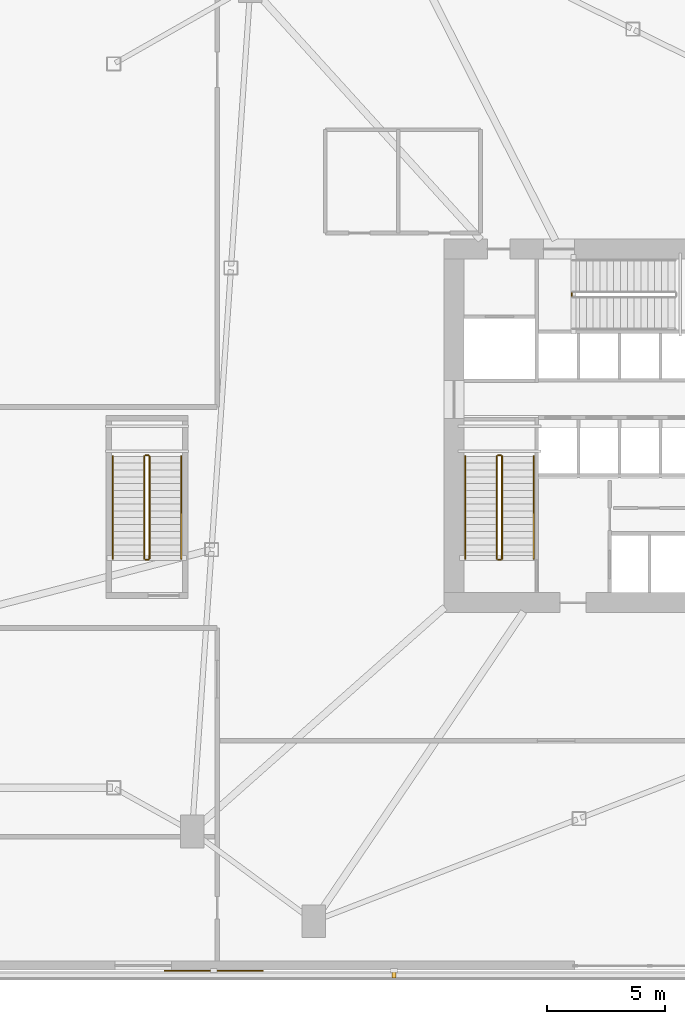
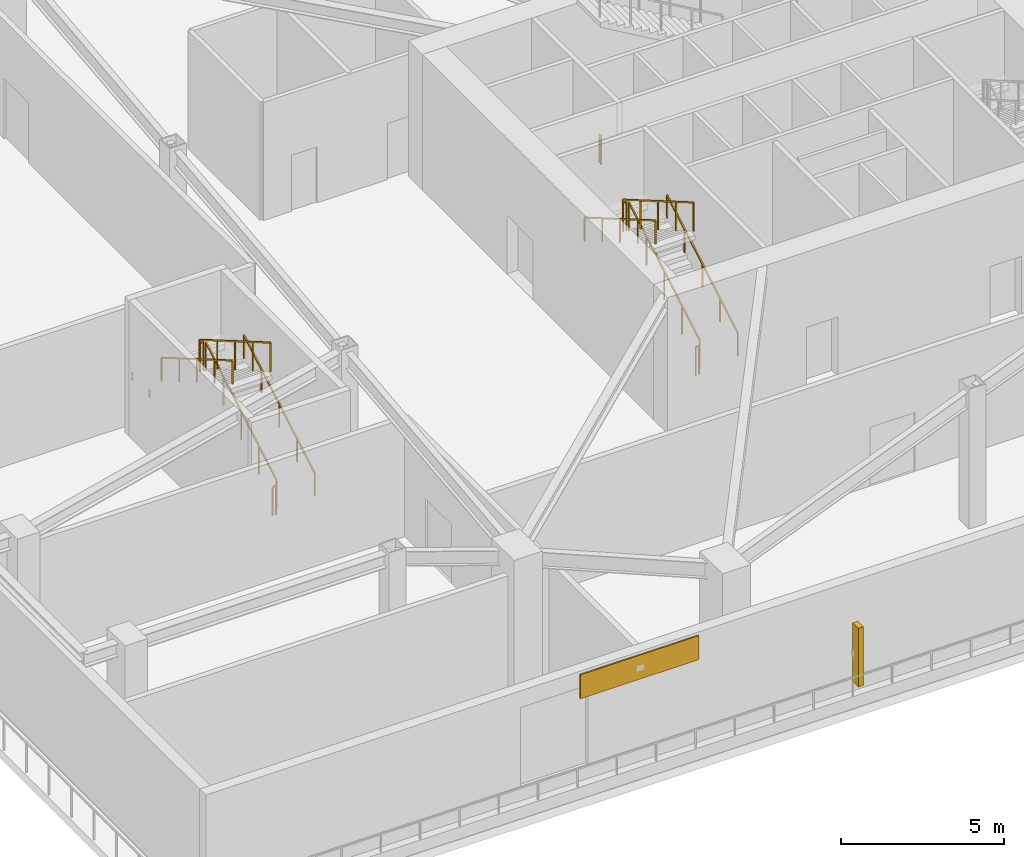
# One storey, part 12 of 15: 13 railings, 1 covering, 1 shading device.
"""IFC4 building model written with IfcOpenShell, lengths in metres."""

from ifc_helpers import new_model, si_unit, direction, frame, origin, origin_2d, place, context, subcontext, project, spatial, rectangle, extrude, source, transform, mapped, material, layer, layer_set, type_object, element, save


model = new_model("IFC4")

# Units and contexts
model_context = context("Model", 3, precision=1e-05, world=origin(), true_north=direction((0.0, 1.0)))
body_context = subcontext(model_context, "Body", "Model", "MODEL_VIEW")
ifc_project = project(units=[si_unit("LENGTHUNIT", "METRE"), si_unit("AREAUNIT", "SQUARE_METRE"), si_unit("VOLUMEUNIT", "CUBIC_METRE"), si_unit("PLANEANGLEUNIT", "RADIAN"), si_unit("MASSUNIT", "GRAM", prefix="KILO")], contexts=[model_context])

# Site, building, storey
site_placement = place(None, origin())
site = spatial("IfcSite", under=ifc_project, at=site_placement, CompositionType="ELEMENT")
building_placement = place(site_placement, origin())
building = spatial("IfcBuilding", under=site, at=building_placement, Name="Olszyna Solenne Hotel", CompositionType="ELEMENT")
storey_placement = place(building_placement, frame((0.0, 0.0, 10.199951171875)))
storey = spatial("IfcBuildingStorey", under=building, at=storey_placement, Name="L02", CompositionType="ELEMENT", Elevation=10.199951171875)

# Railings
ifc_material_1 = material(Name="Anodised bronze aluminium", Category="aluminium")
railing_type_1 = type_object("IfcRailingType", Name="GR-110", PredefinedType="BALUSTRADE", material=ifc_material_1)
railing_1_placement = place(storey_placement, frame((31.719970703125, 20.949951171875, 0.168701171875)))
element("IfcRailing", 1, at=railing_1_placement, inside=storey, type_object=railing_type_1, Name="L02 ST1 stair guard 1", PredefinedType="BALUSTRADE", context=body_context, shape_type="SweptSolid", body=[
    extrude(rectangle(XDim=0.048095703125, YDim=0.048095703125, at=origin_2d()), frame((0.0, 0.0, 1.076171875), z_axis=(0.0, 0.864323800911, 0.50293574856), x_axis=(-1.0, 0.0, 0.0)), (0.0, 0.0, 1.0), 5.032958984375),
    extrude(rectangle(XDim=0.0419921875, YDim=0.0419921875, at=origin_2d()), origin(), (0.0, 0.0, 1.0), 1.052001953125),
    extrude(rectangle(XDim=0.0419921875, YDim=0.0419921875, at=origin_2d()), frame((0.0, 1.08740234375, 0.6328125)), (0.0, 0.0, 1.0), 1.052001953125),
    extrude(rectangle(XDim=0.0419921875, YDim=0.0419921875, at=origin_2d()), frame((0.0, 2.175048828125, 1.265625)), (0.0, 0.0, 1.0), 1.052001953125),
    extrude(rectangle(XDim=0.0419921875, YDim=0.0419921875, at=origin_2d()), frame((0.0, 3.2626953125, 1.8984375)), (0.0, 0.0, 1.0), 1.052001953125),
    extrude(rectangle(XDim=0.0419921875, YDim=0.0419921875, at=origin_2d()), frame((0.0, 4.35009765625, 2.53125)), (0.0, 0.0, 1.0), 1.052001953125),
])
railing_2_placement = place(storey_placement, frame((31.669921875, 25.35009765625, 2.699951171875)))
element("IfcRailing", 2, at=railing_2_placement, inside=storey, type_object=railing_type_1, Name="L02 ST1 stair guard 2", PredefinedType="BALUSTRADE", context=body_context, shape_type="SweptSolid", body=[
    extrude(rectangle(XDim=0.048095703125, YDim=0.048095703125, at=origin_2d()), frame((0.0, 0.0, 1.076171875), z_axis=(-1.0, 0.0, 0.0), x_axis=(0.0, -1.0, 0.0)), (0.0, 0.0, 1.0), 0.119873046875),
    extrude(rectangle(XDim=0.0419921875, YDim=0.0419921875, at=origin_2d()), origin(), (0.0, 0.0, 1.0), 1.052001953125),
    extrude(rectangle(XDim=0.0419921875, YDim=0.0419921875, at=origin_2d()), frame((-0.119873046875, 0.0, 0.0)), (0.0, 0.0, 1.0), 1.052001953125),
])
railing_3_placement = place(storey_placement, frame((31.5, 25.300048828125, 2.868896484375)))
element("IfcRailing", 3, at=railing_3_placement, inside=storey, type_object=railing_type_1, Name="L02 ST1 stair guard 3", PredefinedType="BALUSTRADE", context=body_context, shape_type="SweptSolid", body=[
    extrude(rectangle(XDim=0.048095703125, YDim=0.048095703125, at=origin_2d()), frame((0.0, 0.0, 1.076171875), z_axis=(0.0, -0.864323800911, 0.50293574856), x_axis=(1.0, 0.0, 0.0)), (0.0, 0.0, 1.0), 5.032958984375),
    extrude(rectangle(XDim=0.0419921875, YDim=0.0419921875, at=origin_2d()), origin(), (0.0, 0.0, 1.0), 1.052001953125),
    extrude(rectangle(XDim=0.0419921875, YDim=0.0419921875, at=origin_2d()), frame((0.0, -1.08740234375, 0.6328125)), (0.0, 0.0, 1.0), 1.052001953125),
    extrude(rectangle(XDim=0.0419921875, YDim=0.0419921875, at=origin_2d()), frame((0.0, -2.175048828125, 1.265625)), (0.0, 0.0, 1.0), 1.052001953125),
    extrude(rectangle(XDim=0.0419921875, YDim=0.0419921875, at=origin_2d()), frame((0.0, -3.2626953125, 1.8984375)), (0.0, 0.0, 1.0), 1.052001953125),
    extrude(rectangle(XDim=0.0419921875, YDim=0.0419921875, at=origin_2d()), frame((0.0, -4.35009765625, 2.53125)), (0.0, 0.0, 1.0), 1.052001953125),
])
railing_4_placement = place(storey_placement, frame((31.669921875, 20.89990234375, 0.0)))
element("IfcRailing", 4, at=railing_4_placement, inside=storey, type_object=railing_type_1, Name="L02 ST1 stair guard 4", PredefinedType="BALUSTRADE", context=body_context, shape_type="SweptSolid", body=[
    extrude(rectangle(XDim=0.048095703125, YDim=0.048095703125, at=origin_2d()), frame((0.0, 0.0, 1.076171875), z_axis=(-1.0, 0.0, 0.0), x_axis=(0.0, -1.0, 0.0)), (0.0, 0.0, 1.0), 0.119873046875),
    extrude(rectangle(XDim=0.0419921875, YDim=0.0419921875, at=origin_2d()), origin(), (0.0, 0.0, 1.0), 1.052001953125),
    extrude(rectangle(XDim=0.0419921875, YDim=0.0419921875, at=origin_2d()), frame((-0.119873046875, 0.0, 0.0)), (0.0, 0.0, 1.0), 1.052001953125),
])
railing_5_placement = place(storey_placement, frame((34.679931640625, 32.1298828125, 0.0)))
element("IfcRailing", 5, at=railing_5_placement, inside=storey, type_object=railing_type_1, Name="L02 ST3 stair guard 4", PredefinedType="BALUSTRADE", context=body_context, shape_type="SweptSolid", body=[
    extrude(rectangle(XDim=0.048095703125, YDim=0.048095703125, at=origin_2d()), frame((0.0, 0.0, 1.076171875), z_axis=(0.0, 1.0, 0.0), x_axis=(-1.0, 0.0, 0.0)), (0.0, 0.0, 1.0), 0.1201171875),
    extrude(rectangle(XDim=0.0419921875, YDim=0.0419921875, at=origin_2d()), origin(), (0.0, 0.0, 1.0), 1.052001953125),
    extrude(rectangle(XDim=0.0419921875, YDim=0.0419921875, at=origin_2d()), frame((0.0, 0.1201171875, 0.0)), (0.0, 0.0, 1.0), 1.052001953125),
])
railing_6_placement = place(storey_placement, frame((16.719970703125, 20.949951171875, 0.168701171875)))
element("IfcRailing", 6, at=railing_6_placement, inside=storey, type_object=railing_type_1, Name="L02 ST4 stair guard 1", PredefinedType="BALUSTRADE", context=body_context, shape_type="SweptSolid", body=[
    extrude(rectangle(XDim=0.048095703125, YDim=0.048095703125, at=origin_2d()), frame((0.0, 0.0, 1.076171875), z_axis=(0.0, 0.864323800911, 0.50293574856), x_axis=(-1.0, 0.0, 0.0)), (0.0, 0.0, 1.0), 5.032958984375),
    extrude(rectangle(XDim=0.0419921875, YDim=0.0419921875, at=origin_2d()), origin(), (0.0, 0.0, 1.0), 1.052001953125),
    extrude(rectangle(XDim=0.0419921875, YDim=0.0419921875, at=origin_2d()), frame((0.0, 1.08740234375, 0.6328125)), (0.0, 0.0, 1.0), 1.052001953125),
    extrude(rectangle(XDim=0.0419921875, YDim=0.0419921875, at=origin_2d()), frame((0.0, 2.175048828125, 1.265625)), (0.0, 0.0, 1.0), 1.052001953125),
    extrude(rectangle(XDim=0.0419921875, YDim=0.0419921875, at=origin_2d()), frame((0.0, 3.2626953125, 1.8984375)), (0.0, 0.0, 1.0), 1.052001953125),
    extrude(rectangle(XDim=0.0419921875, YDim=0.0419921875, at=origin_2d()), frame((0.0, 4.35009765625, 2.53125)), (0.0, 0.0, 1.0), 1.052001953125),
])
railing_7_placement = place(storey_placement, frame((16.669921875, 25.35009765625, 2.699951171875)))
element("IfcRailing", 7, at=railing_7_placement, inside=storey, type_object=railing_type_1, Name="L02 ST4 stair guard 2", PredefinedType="BALUSTRADE", context=body_context, shape_type="SweptSolid", body=[
    extrude(rectangle(XDim=0.048095703125, YDim=0.048095703125, at=origin_2d()), frame((0.0, 0.0, 1.076171875), z_axis=(-1.0, 0.0, 0.0), x_axis=(0.0, -1.0, 0.0)), (0.0, 0.0, 1.0), 0.119873046875),
    extrude(rectangle(XDim=0.0419921875, YDim=0.0419921875, at=origin_2d()), origin(), (0.0, 0.0, 1.0), 1.052001953125),
    extrude(rectangle(XDim=0.0419921875, YDim=0.0419921875, at=origin_2d()), frame((-0.119873046875, 0.0, 0.0)), (0.0, 0.0, 1.0), 1.052001953125),
])
railing_8_placement = place(storey_placement, frame((16.5, 25.300048828125, 2.868896484375)))
element("IfcRailing", 8, at=railing_8_placement, inside=storey, type_object=railing_type_1, Name="L02 ST4 stair guard 3", PredefinedType="BALUSTRADE", context=body_context, shape_type="SweptSolid", body=[
    extrude(rectangle(XDim=0.048095703125, YDim=0.048095703125, at=origin_2d()), frame((0.0, 0.0, 1.076171875), z_axis=(0.0, -0.864323800911, 0.50293574856), x_axis=(1.0, 0.0, 0.0)), (0.0, 0.0, 1.0), 5.032958984375),
    extrude(rectangle(XDim=0.0419921875, YDim=0.0419921875, at=origin_2d()), origin(), (0.0, 0.0, 1.0), 1.052001953125),
    extrude(rectangle(XDim=0.0419921875, YDim=0.0419921875, at=origin_2d()), frame((0.0, -1.08740234375, 0.6328125)), (0.0, 0.0, 1.0), 1.052001953125),
    extrude(rectangle(XDim=0.0419921875, YDim=0.0419921875, at=origin_2d()), frame((0.0, -2.175048828125, 1.265625)), (0.0, 0.0, 1.0), 1.052001953125),
    extrude(rectangle(XDim=0.0419921875, YDim=0.0419921875, at=origin_2d()), frame((0.0, -3.2626953125, 1.8984375)), (0.0, 0.0, 1.0), 1.052001953125),
    extrude(rectangle(XDim=0.0419921875, YDim=0.0419921875, at=origin_2d()), frame((0.0, -4.35009765625, 2.53125)), (0.0, 0.0, 1.0), 1.052001953125),
])
railing_9_placement = place(storey_placement, frame((16.669921875, 20.89990234375, 0.0)))
element("IfcRailing", 9, at=railing_9_placement, inside=storey, type_object=railing_type_1, Name="L02 ST4 stair guard 4", PredefinedType="BALUSTRADE", context=body_context, shape_type="SweptSolid", body=[
    extrude(rectangle(XDim=0.048095703125, YDim=0.048095703125, at=origin_2d()), frame((0.0, 0.0, 1.076171875), z_axis=(-1.0, 0.0, 0.0), x_axis=(0.0, -1.0, 0.0)), (0.0, 0.0, 1.0), 0.119873046875),
    extrude(rectangle(XDim=0.0419921875, YDim=0.0419921875, at=origin_2d()), origin(), (0.0, 0.0, 1.0), 1.052001953125),
    extrude(rectangle(XDim=0.0419921875, YDim=0.0419921875, at=origin_2d()), frame((-0.119873046875, 0.0, 0.0)), (0.0, 0.0, 1.0), 1.052001953125),
])
ifc_material_2 = material(Name="Steel S355J2", Category="steel")
railing_type_2 = type_object("IfcRailingType", Name="HR-090", PredefinedType="HANDRAIL", material=ifc_material_2)
railing_10_placement = place(storey_placement, frame((33.070068359375, 20.949951171875, 0.168701171875)))
element("IfcRailing", 10, at=railing_10_placement, inside=storey, type_object=railing_type_2, Name="L02 ST1 stair handrail 1", PredefinedType="HANDRAIL", context=body_context, shape_type="SweptSolid", body=[
    extrude(rectangle(XDim=0.048095703125, YDim=0.048095703125, at=origin_2d()), frame((0.0, 0.0, 0.8759765625), z_axis=(0.0, 0.864323800911, 0.50293574856), x_axis=(-1.0, 0.0, 0.0)), (0.0, 0.0, 1.0), 5.032958984375),
    extrude(rectangle(XDim=0.0419921875, YDim=0.0419921875, at=origin_2d()), origin(), (0.0, 0.0, 1.0), 0.851806640625),
    extrude(rectangle(XDim=0.0419921875, YDim=0.0419921875, at=origin_2d()), frame((0.0, 1.08740234375, 0.6328125)), (0.0, 0.0, 1.0), 0.851806640625),
    extrude(rectangle(XDim=0.0419921875, YDim=0.0419921875, at=origin_2d()), frame((0.0, 2.175048828125, 1.265625)), (0.0, 0.0, 1.0), 0.851806640625),
    extrude(rectangle(XDim=0.0419921875, YDim=0.0419921875, at=origin_2d()), frame((0.0, 3.2626953125, 1.8984375)), (0.0, 0.0, 1.0), 0.851806640625),
    extrude(rectangle(XDim=0.0419921875, YDim=0.0419921875, at=origin_2d()), frame((0.0, 4.35009765625, 2.53125)), (0.0, 0.0, 1.0), 0.851806640625),
])
railing_11_placement = place(storey_placement, frame((30.14990234375, 25.300048828125, 2.868896484375)))
element("IfcRailing", 11, at=railing_11_placement, inside=storey, type_object=railing_type_2, Name="L02 ST1 stair handrail 2", PredefinedType="HANDRAIL", context=body_context, shape_type="SweptSolid", body=[
    extrude(rectangle(XDim=0.048095703125, YDim=0.048095703125, at=origin_2d()), frame((0.0, 0.0, 0.8759765625), z_axis=(0.0, -0.864323800911, 0.50293574856), x_axis=(1.0, 0.0, 0.0)), (0.0, 0.0, 1.0), 5.032958984375),
    extrude(rectangle(XDim=0.0419921875, YDim=0.0419921875, at=origin_2d()), origin(), (0.0, 0.0, 1.0), 0.851806640625),
    extrude(rectangle(XDim=0.0419921875, YDim=0.0419921875, at=origin_2d()), frame((0.0, -1.08740234375, 0.6328125)), (0.0, 0.0, 1.0), 0.851806640625),
    extrude(rectangle(XDim=0.0419921875, YDim=0.0419921875, at=origin_2d()), frame((0.0, -2.175048828125, 1.265625)), (0.0, 0.0, 1.0), 0.851806640625),
    extrude(rectangle(XDim=0.0419921875, YDim=0.0419921875, at=origin_2d()), frame((0.0, -3.2626953125, 1.8984375)), (0.0, 0.0, 1.0), 0.851806640625),
    extrude(rectangle(XDim=0.0419921875, YDim=0.0419921875, at=origin_2d()), frame((0.0, -4.35009765625, 2.53125)), (0.0, 0.0, 1.0), 0.851806640625),
])
railing_12_placement = place(storey_placement, frame((18.070068359375, 20.949951171875, 0.168701171875)))
element("IfcRailing", 12, at=railing_12_placement, inside=storey, type_object=railing_type_2, Name="L02 ST4 stair handrail 1", PredefinedType="HANDRAIL", context=body_context, shape_type="SweptSolid", body=[
    extrude(rectangle(XDim=0.048095703125, YDim=0.048095703125, at=origin_2d()), frame((0.0, 0.0, 0.8759765625), z_axis=(0.0, 0.864323800911, 0.50293574856), x_axis=(-1.0, 0.0, 0.0)), (0.0, 0.0, 1.0), 5.032958984375),
    extrude(rectangle(XDim=0.0419921875, YDim=0.0419921875, at=origin_2d()), origin(), (0.0, 0.0, 1.0), 0.851806640625),
    extrude(rectangle(XDim=0.0419921875, YDim=0.0419921875, at=origin_2d()), frame((0.0, 1.08740234375, 0.6328125)), (0.0, 0.0, 1.0), 0.851806640625),
    extrude(rectangle(XDim=0.0419921875, YDim=0.0419921875, at=origin_2d()), frame((0.0, 2.175048828125, 1.265625)), (0.0, 0.0, 1.0), 0.851806640625),
    extrude(rectangle(XDim=0.0419921875, YDim=0.0419921875, at=origin_2d()), frame((0.0, 3.2626953125, 1.8984375)), (0.0, 0.0, 1.0), 0.851806640625),
    extrude(rectangle(XDim=0.0419921875, YDim=0.0419921875, at=origin_2d()), frame((0.0, 4.35009765625, 2.53125)), (0.0, 0.0, 1.0), 0.851806640625),
])
railing_13_placement = place(storey_placement, frame((15.14990234375, 25.300048828125, 2.868896484375)))
element("IfcRailing", 13, at=railing_13_placement, inside=storey, type_object=railing_type_2, Name="L02 ST4 stair handrail 2", PredefinedType="HANDRAIL", context=body_context, shape_type="SweptSolid", body=[
    extrude(rectangle(XDim=0.048095703125, YDim=0.048095703125, at=origin_2d()), frame((0.0, 0.0, 0.8759765625), z_axis=(0.0, -0.864323800911, 0.50293574856), x_axis=(1.0, 0.0, 0.0)), (0.0, 0.0, 1.0), 5.032958984375),
    extrude(rectangle(XDim=0.0419921875, YDim=0.0419921875, at=origin_2d()), origin(), (0.0, 0.0, 1.0), 0.851806640625),
    extrude(rectangle(XDim=0.0419921875, YDim=0.0419921875, at=origin_2d()), frame((0.0, -1.08740234375, 0.6328125)), (0.0, 0.0, 1.0), 0.851806640625),
    extrude(rectangle(XDim=0.0419921875, YDim=0.0419921875, at=origin_2d()), frame((0.0, -2.175048828125, 1.265625)), (0.0, 0.0, 1.0), 0.851806640625),
    extrude(rectangle(XDim=0.0419921875, YDim=0.0419921875, at=origin_2d()), frame((0.0, -3.2626953125, 1.8984375)), (0.0, 0.0, 1.0), 0.851806640625),
    extrude(rectangle(XDim=0.0419921875, YDim=0.0419921875, at=origin_2d()), frame((0.0, -4.35009765625, 2.53125)), (0.0, 0.0, 1.0), 0.851806640625),
])

# Covering
ifc_material_3 = material(Name="Terracotta cladding", Category="masonry")
ifc_layer = layer(ifc_material_3, 0.054931640625, Name="Terracotta cladding")
ifc_layer_set = layer_set([ifc_layer], Name="Terracotta cladding")
covering_type = type_object("IfcCoveringType", Name="CD-TC1", PredefinedType="CLADDING", material=ifc_layer_set)
shared_shape_1 = source(origin(), body_context, "Body", "SweptSolid", [
    extrude(rectangle(XDim=4.199951171875, YDim=0.054931640625, at=origin_2d()), origin(), (0.0, 0.0, 1.0), 0.89990234375),
])
covering_placement = place(storey_placement, frame((19.449951171875, 3.41748046875, 3.47216796875), z_axis=(0.0, 0.0, 1.0), x_axis=(-1.0, 0.0, 0.0)))
element("IfcCovering", 14, at=covering_placement, inside=storey, type_object=covering_type, Name="Fluted terracotta rainscreen band CD-L02-SW", PredefinedType="CLADDING", context=body_context, shape_type="MappedRepresentation", body=[
    mapped(shared_shape_1, transform((0.0, 0.0, 0.0), x_axis=(1.0, 0.0, 0.0), y_axis=(0.0, 1.0, 0.0), z_axis=(0.0, 0.0, 1.0), scale=1.0)),
])

# Shading device
shading_device_type = type_object("IfcShadingDeviceType", Name="SH-FN1", PredefinedType="USERDEFINED", material=ifc_material_3)
shared_shape_2 = source(origin(), body_context, "Body", "SweptSolid", [
    extrude(rectangle(XDim=0.179931640625, YDim=0.35009765625, at=origin_2d()), origin(), (0.0, 0.0, 1.0), 2.199951171875),
])
shading_device_placement = place(storey_placement, frame((27.125, 3.27001953125, 0.7001953125), z_axis=(0.0, 0.0, 1.0), x_axis=(-1.0, 0.0, 0.0)))
element("IfcShadingDevice", 15, at=shading_device_placement, inside=storey, type_object=shading_device_type, Name="Vertical terracotta facade fin FN-L02-SW", ObjectType="FIN", PredefinedType="USERDEFINED", context=body_context, shape_type="MappedRepresentation", body=[
    mapped(shared_shape_2, transform((0.0, 0.0, 0.0), x_axis=(1.0, 0.0, 0.0), y_axis=(0.0, 1.0, 0.0), z_axis=(0.0, 0.0, 1.0), scale=1.0)),
])

save(model, "model.ifc")
